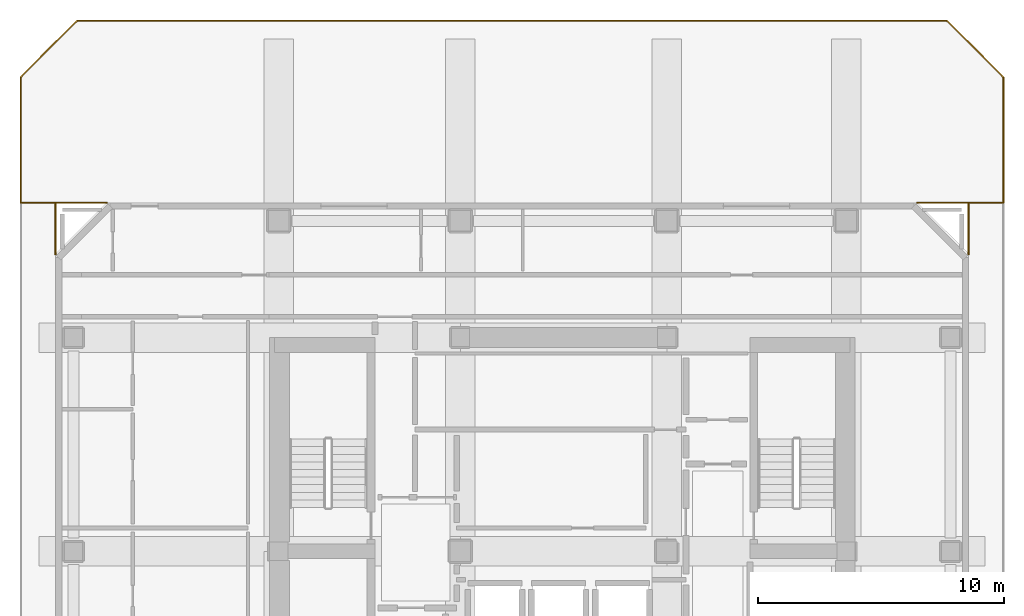
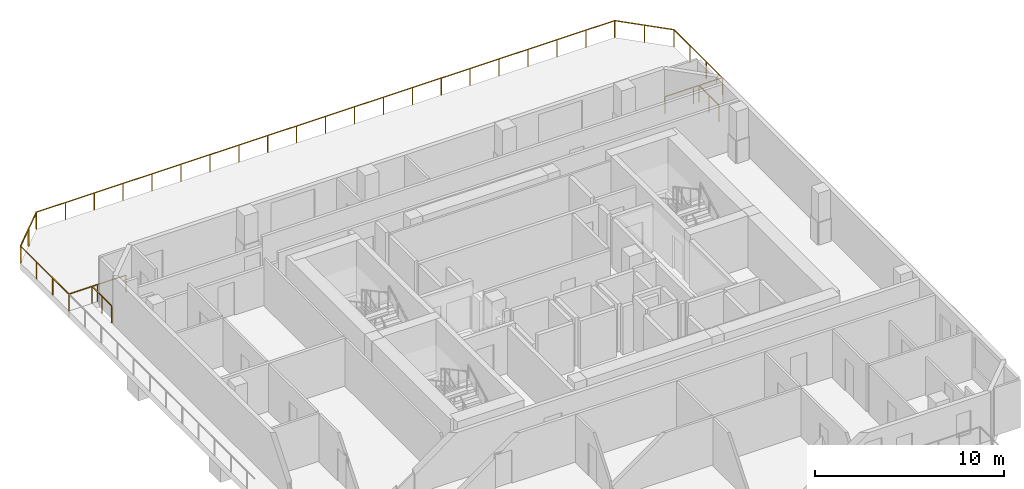
# One storey, part 10 of 10: 11 railings.
"""IFC4 building model written with IfcOpenShell, lengths in metres."""

from ifc_helpers import new_model, si_unit, direction, frame, origin, origin_2d, place, context, subcontext, project, spatial, rectangle, extrude, material, type_object, element, save


model = new_model("IFC4")

# Units and contexts
model_context = context("Model", 3, precision=1e-05, world=origin(), true_north=direction((0.0, 1.0)))
body_context = subcontext(model_context, "Body", "Model", "MODEL_VIEW")
ifc_project = project(units=[si_unit("LENGTHUNIT", "METRE"), si_unit("AREAUNIT", "SQUARE_METRE"), si_unit("VOLUMEUNIT", "CUBIC_METRE"), si_unit("PLANEANGLEUNIT", "RADIAN"), si_unit("MASSUNIT", "GRAM", prefix="KILO")], contexts=[model_context])

# Site, building, storey
site_placement = place(None, origin())
site = spatial("IfcSite", under=ifc_project, at=site_placement, CompositionType="ELEMENT")
building_placement = place(site_placement, origin())
building = spatial("IfcBuilding", under=site, at=building_placement, Name="Solanera Arch Residences", CompositionType="ELEMENT")
storey_placement = place(building_placement, frame((0.0, 0.0, 190.159912109375)))
storey = spatial("IfcBuildingStorey", under=building, at=storey_placement, Name="L55", CompositionType="ELEMENT", Elevation=190.159912109375)

# Railings
ifc_material = material(Name="Steel S355 (ASTM A992 / A572 Grade 50)", Category="steel")
railing_type = type_object("IfcRailingType", Name="Balustrade Railing BL-1100", PredefinedType="BALUSTRADE", material=ifc_material)
railing_1_placement = place(storey_placement, frame((2.89990234375, 44.8798828125, 0.0)))
element("IfcRailing", 1, at=railing_1_placement, inside=storey, type_object=railing_type, Name="L55 Sky Terrace Guardrail 1", PredefinedType="BALUSTRADE", context=body_context, shape_type="SweptSolid", body=[
    extrude(rectangle(XDim=0.048095703125, YDim=0.048095703125, at=origin_2d()), frame((0.0, 0.0, 1.09619140625), z_axis=(1.0, 0.0, 0.0), x_axis=(0.0, 1.0, 0.0)), (0.0, 0.0, 1.0), 3.508056640625),
    extrude(rectangle(XDim=0.0419921875, YDim=0.0419921875, at=origin_2d()), origin(), (0.0, 0.0, 1.0), 1.072021484375),
    extrude(rectangle(XDim=0.0419921875, YDim=0.0419921875, at=origin_2d()), frame((1.75390625, 0.0, 0.0)), (0.0, 0.0, 1.0), 1.072021484375),
    extrude(rectangle(XDim=0.0419921875, YDim=0.0419921875, at=origin_2d()), frame((3.508056640625, 0.0, 0.0)), (0.0, 0.0, 1.0), 1.072021484375),
])
railing_2_placement = place(storey_placement, frame((39.39208984375, 44.8798828125, 0.0)))
element("IfcRailing", 2, at=railing_2_placement, inside=storey, type_object=railing_type, Name="L55 Sky Terrace Guardrail 1", PredefinedType="BALUSTRADE", context=body_context, shape_type="SweptSolid", body=[
    extrude(rectangle(XDim=0.048095703125, YDim=0.048095703125, at=origin_2d()), frame((0.0, 0.0, 1.09619140625), z_axis=(1.0, 0.0, 0.0), x_axis=(0.0, 1.0, 0.0)), (0.0, 0.0, 1.0), 3.5078125),
    extrude(rectangle(XDim=0.0419921875, YDim=0.0419921875, at=origin_2d()), origin(), (0.0, 0.0, 1.0), 1.072021484375),
    extrude(rectangle(XDim=0.0419921875, YDim=0.0419921875, at=origin_2d()), frame((1.75390625, 0.0, 0.0)), (0.0, 0.0, 1.0), 1.072021484375),
    extrude(rectangle(XDim=0.0419921875, YDim=0.0419921875, at=origin_2d()), frame((3.5078125, 0.0, 0.0)), (0.0, 0.0, 1.0), 1.072021484375),
])
railing_3_placement = place(storey_placement, frame((42.89990234375, 44.8798828125, 0.0)))
element("IfcRailing", 3, at=railing_3_placement, inside=storey, type_object=railing_type, Name="L55 Sky Terrace Guardrail 1", PredefinedType="BALUSTRADE", context=body_context, shape_type="SweptSolid", body=[
    extrude(rectangle(XDim=0.048095703125, YDim=0.048095703125, at=origin_2d()), frame((0.0, 0.0, 1.09619140625), z_axis=(0.0, 1.0, 0.0), x_axis=(-1.0, 0.0, 0.0)), (0.0, 0.0, 1.0), 5.1201171875),
    extrude(rectangle(XDim=0.0419921875, YDim=0.0419921875, at=origin_2d()), origin(), (0.0, 0.0, 1.0), 1.072021484375),
    extrude(rectangle(XDim=0.0419921875, YDim=0.0419921875, at=origin_2d()), frame((0.0, 1.706787109375, 0.0)), (0.0, 0.0, 1.0), 1.072021484375),
    extrude(rectangle(XDim=0.0419921875, YDim=0.0419921875, at=origin_2d()), frame((0.0, 3.413330078125, 0.0)), (0.0, 0.0, 1.0), 1.072021484375),
    extrude(rectangle(XDim=0.0419921875, YDim=0.0419921875, at=origin_2d()), frame((0.0, 5.1201171875, 0.0)), (0.0, 0.0, 1.0), 1.072021484375),
])
railing_4_placement = place(storey_placement, frame((42.89990234375, 50.0, 0.0)))
element("IfcRailing", 4, at=railing_4_placement, inside=storey, type_object=railing_type, Name="L55 Sky Terrace Guardrail 1", PredefinedType="BALUSTRADE", context=body_context, shape_type="SweptSolid", body=[
    extrude(rectangle(XDim=0.048095703125, YDim=0.048095703125, at=origin_2d()), frame((0.0, 0.0, 1.09619140625), z_axis=(-0.707069249976, 0.707144310406, 0.0), x_axis=(-0.707144310406, -0.707069249976, 0.0)), (0.0, 0.0, 1.0), 3.252685546875),
    extrude(rectangle(XDim=0.0419921875, YDim=0.0419921875, at=origin_2d()), origin(), (0.0, 0.0, 1.0), 1.072021484375),
    extrude(rectangle(XDim=0.0419921875, YDim=0.0419921875, at=origin_2d()), frame((-1.14990234375, 1.14990234375, 0.0)), (0.0, 0.0, 1.0), 1.072021484375),
    extrude(rectangle(XDim=0.0419921875, YDim=0.0419921875, at=origin_2d()), frame((-2.2998046875, 2.300048828125, 0.0)), (0.0, 0.0, 1.0), 1.072021484375),
])
railing_5_placement = place(storey_placement, frame((40.60009765625, 52.300048828125, 0.0)))
element("IfcRailing", 5, at=railing_5_placement, inside=storey, type_object=railing_type, Name="L55 Sky Terrace Guardrail 1", PredefinedType="BALUSTRADE", context=body_context, shape_type="SweptSolid", body=[
    extrude(rectangle(XDim=0.048095703125, YDim=0.048095703125, at=origin_2d()), frame((0.0, 0.0, 1.09619140625), z_axis=(-1.0, 0.0, 0.0), x_axis=(0.0, -1.0, 0.0)), (0.0, 0.0, 1.0), 35.400146484375),
    extrude(rectangle(XDim=0.0419921875, YDim=0.0419921875, at=origin_2d()), origin(), (0.0, 0.0, 1.0), 1.072021484375),
    extrude(rectangle(XDim=0.0419921875, YDim=0.0419921875, at=origin_2d()), frame((-1.77001953125, 0.0, 0.0)), (0.0, 0.0, 1.0), 1.072021484375),
    extrude(rectangle(XDim=0.0419921875, YDim=0.0419921875, at=origin_2d()), frame((-3.5400390625, 0.0, 0.0)), (0.0, 0.0, 1.0), 1.072021484375),
    extrude(rectangle(XDim=0.0419921875, YDim=0.0419921875, at=origin_2d()), frame((-5.31005859375, 0.0, 0.0)), (0.0, 0.0, 1.0), 1.072021484375),
    extrude(rectangle(XDim=0.0419921875, YDim=0.0419921875, at=origin_2d()), frame((-7.080078125, 0.0, 0.0)), (0.0, 0.0, 1.0), 1.072021484375),
    extrude(rectangle(XDim=0.0419921875, YDim=0.0419921875, at=origin_2d()), frame((-8.85009765625, 0.0, 0.0)), (0.0, 0.0, 1.0), 1.072021484375),
    extrude(rectangle(XDim=0.0419921875, YDim=0.0419921875, at=origin_2d()), frame((-10.6201171875, 0.0, 0.0)), (0.0, 0.0, 1.0), 1.072021484375),
    extrude(rectangle(XDim=0.0419921875, YDim=0.0419921875, at=origin_2d()), frame((-12.39013671875, 0.0, 0.0)), (0.0, 0.0, 1.0), 1.072021484375),
    extrude(rectangle(XDim=0.0419921875, YDim=0.0419921875, at=origin_2d()), frame((-14.16015625, 0.0, 0.0)), (0.0, 0.0, 1.0), 1.072021484375),
    extrude(rectangle(XDim=0.0419921875, YDim=0.0419921875, at=origin_2d()), frame((-15.93017578125, 0.0, 0.0)), (0.0, 0.0, 1.0), 1.072021484375),
    extrude(rectangle(XDim=0.0419921875, YDim=0.0419921875, at=origin_2d()), frame((-17.7001953125, 0.0, 0.0)), (0.0, 0.0, 1.0), 1.072021484375),
    extrude(rectangle(XDim=0.0419921875, YDim=0.0419921875, at=origin_2d()), frame((-19.469970703125, 0.0, 0.0)), (0.0, 0.0, 1.0), 1.072021484375),
    extrude(rectangle(XDim=0.0419921875, YDim=0.0419921875, at=origin_2d()), frame((-21.239990234375, 0.0, 0.0)), (0.0, 0.0, 1.0), 1.072021484375),
    extrude(rectangle(XDim=0.0419921875, YDim=0.0419921875, at=origin_2d()), frame((-23.010009765625, 0.0, 0.0)), (0.0, 0.0, 1.0), 1.072021484375),
    extrude(rectangle(XDim=0.0419921875, YDim=0.0419921875, at=origin_2d()), frame((-24.780029296875, 0.0, 0.0)), (0.0, 0.0, 1.0), 1.072021484375),
    extrude(rectangle(XDim=0.0419921875, YDim=0.0419921875, at=origin_2d()), frame((-26.550048828125, 0.0, 0.0)), (0.0, 0.0, 1.0), 1.072021484375),
    extrude(rectangle(XDim=0.0419921875, YDim=0.0419921875, at=origin_2d()), frame((-28.320068359375, 0.0, 0.0)), (0.0, 0.0, 1.0), 1.072021484375),
    extrude(rectangle(XDim=0.0419921875, YDim=0.0419921875, at=origin_2d()), frame((-30.090087890625, 0.0, 0.0)), (0.0, 0.0, 1.0), 1.072021484375),
    extrude(rectangle(XDim=0.0419921875, YDim=0.0419921875, at=origin_2d()), frame((-31.860107421875, 0.0, 0.0)), (0.0, 0.0, 1.0), 1.072021484375),
    extrude(rectangle(XDim=0.0419921875, YDim=0.0419921875, at=origin_2d()), frame((-33.630126953125, 0.0, 0.0)), (0.0, 0.0, 1.0), 1.072021484375),
    extrude(rectangle(XDim=0.0419921875, YDim=0.0419921875, at=origin_2d()), frame((-35.400146484375, 0.0, 0.0)), (0.0, 0.0, 1.0), 1.072021484375),
])
railing_6_placement = place(storey_placement, frame((5.199951171875, 52.300048828125, 0.0)))
element("IfcRailing", 6, at=railing_6_placement, inside=storey, type_object=railing_type, Name="L55 Sky Terrace Guardrail 1", PredefinedType="BALUSTRADE", context=body_context, shape_type="SweptSolid", body=[
    extrude(rectangle(XDim=0.048095703125, YDim=0.048095703125, at=origin_2d()), frame((0.0, 0.0, 1.09619140625), z_axis=(-0.707106781187, -0.707106781187, 0.0), x_axis=(0.707106781187, -0.707106781187, 0.0)), (0.0, 0.0, 1.0), 3.252685546875),
    extrude(rectangle(XDim=0.0419921875, YDim=0.0419921875, at=origin_2d()), origin(), (0.0, 0.0, 1.0), 1.072021484375),
    extrude(rectangle(XDim=0.0419921875, YDim=0.0419921875, at=origin_2d()), frame((-1.14990234375, -1.14990234375, 0.0)), (0.0, 0.0, 1.0), 1.072021484375),
    extrude(rectangle(XDim=0.0419921875, YDim=0.0419921875, at=origin_2d()), frame((-2.300048828125, -2.300048828125, 0.0)), (0.0, 0.0, 1.0), 1.072021484375),
])
railing_7_placement = place(storey_placement, frame((2.89990234375, 50.0, 0.0)))
element("IfcRailing", 7, at=railing_7_placement, inside=storey, type_object=railing_type, Name="L55 Sky Terrace Guardrail 1", PredefinedType="BALUSTRADE", context=body_context, shape_type="SweptSolid", body=[
    extrude(rectangle(XDim=0.048095703125, YDim=0.048095703125, at=origin_2d()), frame((0.0, 0.0, 1.09619140625), z_axis=(0.0, -1.0, 0.0), x_axis=(1.0, 0.0, 0.0)), (0.0, 0.0, 1.0), 5.1201171875),
    extrude(rectangle(XDim=0.0419921875, YDim=0.0419921875, at=origin_2d()), origin(), (0.0, 0.0, 1.0), 1.072021484375),
    extrude(rectangle(XDim=0.0419921875, YDim=0.0419921875, at=origin_2d()), frame((0.0, -1.706787109375, 0.0)), (0.0, 0.0, 1.0), 1.072021484375),
    extrude(rectangle(XDim=0.0419921875, YDim=0.0419921875, at=origin_2d()), frame((0.0, -3.413330078125, 0.0)), (0.0, 0.0, 1.0), 1.072021484375),
    extrude(rectangle(XDim=0.0419921875, YDim=0.0419921875, at=origin_2d()), frame((0.0, -5.1201171875, 0.0)), (0.0, 0.0, 1.0), 1.072021484375),
])
railing_8_placement = place(storey_placement, frame((4.320068359375, 42.7919921875, 0.0)))
element("IfcRailing", 8, at=railing_8_placement, inside=storey, type_object=railing_type, Name="L55 Sky Terrace Guardrail 1", PredefinedType="BALUSTRADE", context=body_context, shape_type="SweptSolid", body=[
    extrude(rectangle(XDim=0.048095703125, YDim=0.048095703125, at=origin_2d()), frame((0.0, 0.0, 1.09619140625), z_axis=(0.0, 1.0, 0.0), x_axis=(-1.0, 0.0, 0.0)), (0.0, 0.0, 1.0), 2.087890625),
    extrude(rectangle(XDim=0.0419921875, YDim=0.0419921875, at=origin_2d()), origin(), (0.0, 0.0, 1.0), 1.072021484375),
    extrude(rectangle(XDim=0.0419921875, YDim=0.0419921875, at=origin_2d()), frame((0.0, 1.0439453125, 0.0)), (0.0, 0.0, 1.0), 1.072021484375),
    extrude(rectangle(XDim=0.0419921875, YDim=0.0419921875, at=origin_2d()), frame((0.0, 2.087890625, 0.0)), (0.0, 0.0, 1.0), 1.072021484375),
])
railing_9_placement = place(storey_placement, frame((4.320068359375, 44.8798828125, 0.0)))
element("IfcRailing", 9, at=railing_9_placement, inside=storey, type_object=railing_type, Name="L55 Sky Terrace Guardrail 1", PredefinedType="BALUSTRADE", context=body_context, shape_type="SweptSolid", body=[
    extrude(rectangle(XDim=0.048095703125, YDim=0.048095703125, at=origin_2d()), frame((0.0, 0.0, 1.09619140625), z_axis=(-1.0, 0.0, 0.0), x_axis=(0.0, -1.0, 0.0)), (0.0, 0.0, 1.0), 1.420166015625),
    extrude(rectangle(XDim=0.0419921875, YDim=0.0419921875, at=origin_2d()), origin(), (0.0, 0.0, 1.0), 1.072021484375),
    extrude(rectangle(XDim=0.0419921875, YDim=0.0419921875, at=origin_2d()), frame((-1.420166015625, 0.0, 0.0)), (0.0, 0.0, 1.0), 1.072021484375),
])
railing_10_placement = place(storey_placement, frame((42.89990234375, 44.8798828125, 0.0)))
element("IfcRailing", 10, at=railing_10_placement, inside=storey, type_object=railing_type, Name="L55 Sky Terrace Guardrail 1", PredefinedType="BALUSTRADE", context=body_context, shape_type="SweptSolid", body=[
    extrude(rectangle(XDim=0.048095703125, YDim=0.048095703125, at=origin_2d()), frame((0.0, 0.0, 1.09619140625), z_axis=(-1.0, 0.0, 0.0), x_axis=(0.0, -1.0, 0.0)), (0.0, 0.0, 1.0), 1.419921875),
    extrude(rectangle(XDim=0.0419921875, YDim=0.0419921875, at=origin_2d()), origin(), (0.0, 0.0, 1.0), 1.072021484375),
    extrude(rectangle(XDim=0.0419921875, YDim=0.0419921875, at=origin_2d()), frame((-1.419921875, 0.0, 0.0)), (0.0, 0.0, 1.0), 1.072021484375),
])
railing_11_placement = place(storey_placement, frame((41.47998046875, 44.8798828125, 0.0)))
element("IfcRailing", 11, at=railing_11_placement, inside=storey, type_object=railing_type, Name="L55 Sky Terrace Guardrail 1", PredefinedType="BALUSTRADE", context=body_context, shape_type="SweptSolid", body=[
    extrude(rectangle(XDim=0.048095703125, YDim=0.048095703125, at=origin_2d()), frame((0.0, 0.0, 1.09619140625), z_axis=(0.0, -1.0, 0.0), x_axis=(1.0, 0.0, 0.0)), (0.0, 0.0, 1.0), 2.087890625),
    extrude(rectangle(XDim=0.0419921875, YDim=0.0419921875, at=origin_2d()), origin(), (0.0, 0.0, 1.0), 1.072021484375),
    extrude(rectangle(XDim=0.0419921875, YDim=0.0419921875, at=origin_2d()), frame((0.0, -1.0439453125, 0.0)), (0.0, 0.0, 1.0), 1.072021484375),
    extrude(rectangle(XDim=0.0419921875, YDim=0.0419921875, at=origin_2d()), frame((0.0, -2.087890625, 0.0)), (0.0, 0.0, 1.0), 1.072021484375),
])

save(model, "model.ifc")
